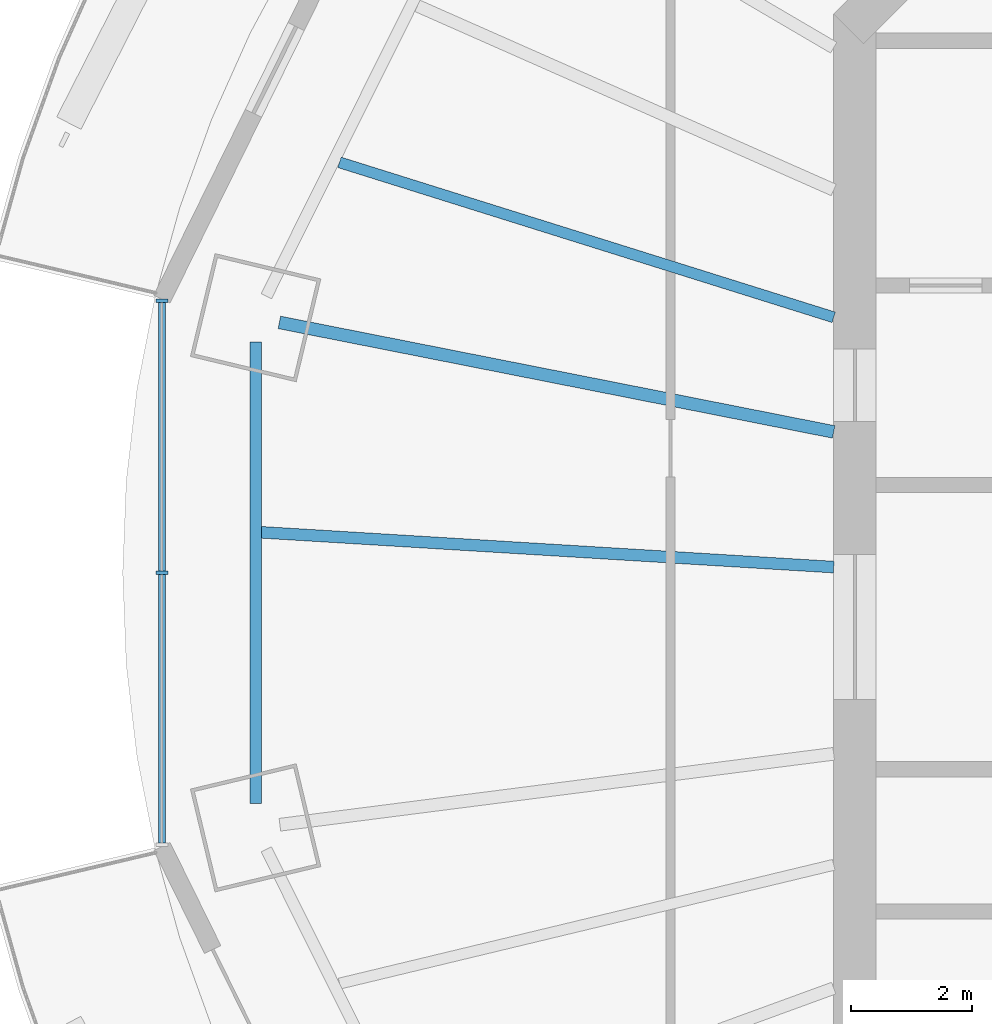
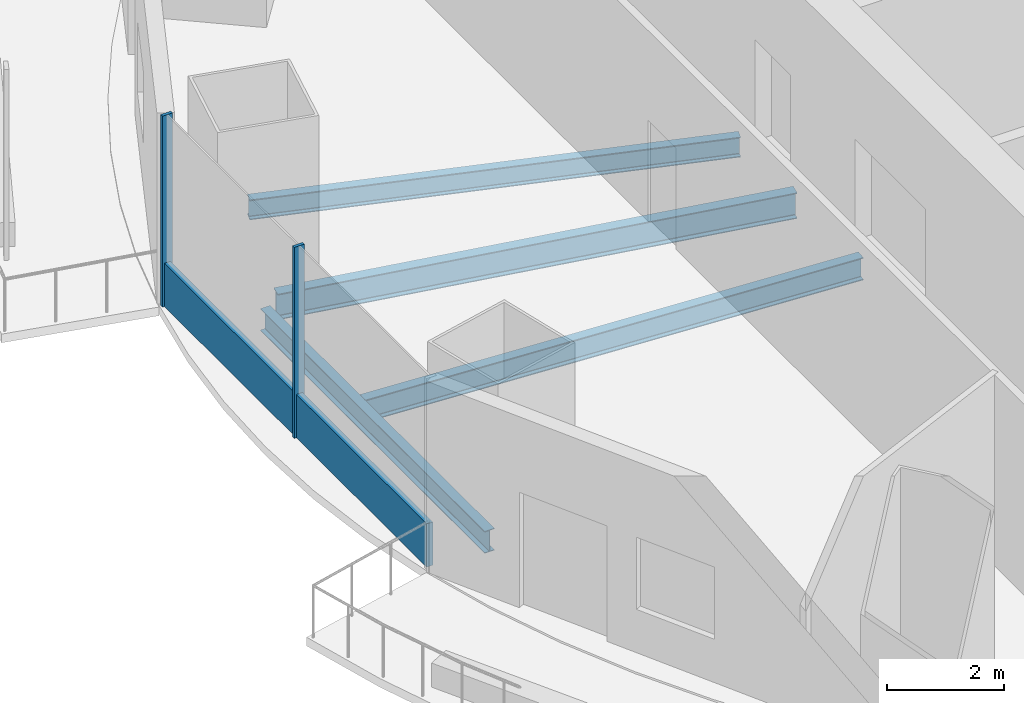
# One storey, part 3 of 16: 4 beams, 3 members, 1 element without a shape of its own.
"""IFC4 building model written with IfcOpenShell, lengths in metres."""

from ifc_helpers import new_model, si_unit, direction, frame, origin, origin_2d, place, context, subcontext, project, spatial, rectangle, i_section, extrude, material, material_profile, profile_set, type_object, element, aggregate, save


model = new_model("IFC4")

# Units and contexts
model_context = context("Model", 3, precision=1e-05, world=origin(), true_north=direction((0.0, 1.0)))
body_context = subcontext(model_context, "Body", "Model", "MODEL_VIEW")
ifc_project = project(units=[si_unit("LENGTHUNIT", "METRE"), si_unit("AREAUNIT", "SQUARE_METRE"), si_unit("VOLUMEUNIT", "CUBIC_METRE"), si_unit("PLANEANGLEUNIT", "RADIAN"), si_unit("MASSUNIT", "GRAM", prefix="KILO")], contexts=[model_context])

# Site, building, storey
site_placement = place(None, origin())
site = spatial("IfcSite", under=ifc_project, at=site_placement, CompositionType="ELEMENT")
building_placement = place(site_placement, origin())
building = spatial("IfcBuilding", under=site, at=building_placement, Name="Marenthal Gate Tower", CompositionType="ELEMENT")
storey_placement = place(building_placement, frame((0.0, 0.0, 321.85009765625)))
storey = spatial("IfcBuildingStorey", under=building, at=storey_placement, Name="L72", CompositionType="ELEMENT", Elevation=321.85009765625)

# Curtain wall, members
ifc_material_1 = material(Name="Aluminium and glass", Category="aluminium")
curtain_wall_type = type_object("IfcCurtainWallType", Name="Curtain wall typical high", PredefinedType="NOTDEFINED", material=ifc_material_1)
curtain_wall_placement = place(storey_placement, origin())
curtain_wall = element("IfcCurtainWall", 1, at=curtain_wall_placement, inside=storey, type_object=curtain_wall_type, Name="Curtain wall L72 bay 8", PredefinedType="NOTDEFINED")
ifc_material_2 = material(Name="Aluminium", Category="aluminium")
ifc_material_profile_1 = material_profile(ifc_material_2, rectangle(XDim=0.199951171875, YDim=0.06005859375, at=origin_2d()), Name="60x200 aluminium mullion")
ifc_profile_set_1 = profile_set([ifc_material_profile_1], Name="Aluminium")
member_type_1 = type_object("IfcMemberType", Name="Mullion 60x200 typical high", PredefinedType="MULLION", material=ifc_profile_set_1)
member_1_placement = place(storey_placement, frame((-27.4619140625, 5.3974609375, 0.0), z_axis=(0.0, 0.0, 1.0), x_axis=(1.0, 0.0, 0.0)))
member_1 = element("IfcMember", 2, at=member_1_placement, type_object=member_type_1, Name="Mullion L72 bay 8.1", PredefinedType="MULLION", context=body_context, shape_type="SweptSolid", body=[
    extrude(rectangle(XDim=0.199951171875, YDim=0.06005859375, at=origin_2d()), origin(), (0.0, 0.0, 1.0), 3.969970703125),
])
member_2_placement = place(storey_placement, frame((-27.4619140625, 0.89990234375, 0.0), z_axis=(0.0, 0.0, 1.0), x_axis=(1.0, 0.0, 0.0)))
member_2 = element("IfcMember", 3, at=member_2_placement, type_object=member_type_1, Name="Mullion L72 bay 8.2", PredefinedType="MULLION", context=body_context, shape_type="SweptSolid", body=[
    extrude(rectangle(XDim=0.199951171875, YDim=0.06005859375, at=origin_2d()), origin(), (0.0, 0.0, 1.0), 3.969970703125),
])
ifc_material_3 = material(Name="Aluminium", Category="aluminium")
ifc_material_profile_2 = material_profile(ifc_material_3, rectangle(XDim=0.1201171875, YDim=0.89990234375, at=origin_2d()), Name="120x900 aluminium transom")
ifc_profile_set_2 = profile_set([ifc_material_profile_2], Name="Aluminium")
member_type_2 = type_object("IfcMemberType", Name="Transom 120x900 typical high", PredefinedType="USERDEFINED", material=ifc_profile_set_2)
member_3_placement = place(storey_placement, frame((-27.4619140625, 5.367431640625, 0.449951171875), z_axis=(0.0, -1.0, 0.0), x_axis=(1.0, 0.0, 0.0)))
member_3 = element("IfcMember", 4, at=member_3_placement, type_object=member_type_2, Name="Transom L72 bay 8", ObjectType="TRANSOM", PredefinedType="USERDEFINED", context=body_context, shape_type="SweptSolid", body=[
    extrude(rectangle(XDim=0.1201171875, YDim=0.89990234375, at=origin_2d()), origin(), (0.0, 0.0, 1.0), 8.934814453125),
])
aggregate(curtain_wall, [member_1, member_2, member_3])

# Beams
ifc_material_4 = material(Name="Steel S355", Category="steel")
ifc_material_profile_3 = material_profile(ifc_material_4, i_section(OverallWidth=0.180908203125, OverallDepth=0.4169921875, WebThickness=0.010986328125, FlangeThickness=0.018310546875, FilletRadius=0.01025390625, at=origin_2d()), Name="W410X85")
ifc_profile_set_3 = profile_set([ifc_material_profile_3], Name="Steel S355")
beam_type_1 = type_object("IfcBeamType", Name="W410X85 beam", PredefinedType="BEAM", material=ifc_profile_set_3)
beam_1_placement = place(storey_placement, frame((-24.525390625, 7.68896484375, -0.388671875), z_axis=(0.954206790914, -0.299147789853, 0.0), x_axis=(0.299147789853, 0.954206790914, 0.0)))
element("IfcBeam", 5, at=beam_1_placement, inside=storey, type_object=beam_type_1, Name="BM-L72-27", PredefinedType="BEAM", context=body_context, shape_type="SweptSolid", body=[
    extrude(i_section(OverallWidth=0.180908203125, OverallDepth=0.4169921875, WebThickness=0.010986328125, FlangeThickness=0.018310546875, FilletRadius=0.01025390625, at=origin_2d()), origin(), (0.0, 0.0, 1.0), 8.567626953125),
])
ifc_material_5 = material(Name="Steel S355", Category="steel")
ifc_material_profile_4 = material_profile(ifc_material_5, i_section(OverallWidth=0.19091796875, OverallDepth=0.45703125, WebThickness=0.009033203125, FlangeThickness=0.014404296875, FilletRadius=0.01025390625, at=origin_2d()), Name="W460X74")
ifc_profile_set_4 = profile_set([ifc_material_profile_4], Name="Steel S355")
beam_type_2 = type_object("IfcBeamType", Name="W460X74 beam", PredefinedType="BEAM", material=ifc_profile_set_4)
beam_2_placement = place(storey_placement, frame((-25.912109375, 4.719482421875, -0.40869140625), z_axis=(0.0, -1.0, 0.0), x_axis=(1.0, 0.0, 0.0)))
element("IfcBeam", 6, at=beam_2_placement, inside=storey, type_object=beam_type_2, Name="BM-L72-48", PredefinedType="BEAM", context=body_context, shape_type="SweptSolid", body=[
    extrude(i_section(OverallWidth=0.19091796875, OverallDepth=0.45703125, WebThickness=0.009033203125, FlangeThickness=0.014404296875, FilletRadius=0.01025390625, at=origin_2d()), origin(), (0.0, 0.0, 1.0), 7.638916015625),
])
ifc_material_6 = material(Name="Steel S355", Category="steel")
ifc_material_profile_5 = material_profile(ifc_material_6, i_section(OverallWidth=0.193115234375, OverallDepth=0.467041015625, WebThickness=0.011474609375, FlangeThickness=0.01904296875, FilletRadius=0.010009765625, at=origin_2d()), Name="W460X97")
ifc_profile_set_5 = profile_set([ifc_material_profile_5], Name="Steel S355")
beam_type_3 = type_object("IfcBeamType", Name="W460X97 beam", PredefinedType="BEAM", material=ifc_profile_set_5)
beam_3_placement = place(storey_placement, frame((-25.816650390625, 1.5693359375, -0.41357421875), z_axis=(0.998157599477, -0.060674596053, 0.0), x_axis=(0.060674596053, 0.998157599477, 0.0)))
element("IfcBeam", 7, at=beam_3_placement, inside=storey, type_object=beam_type_3, Name="BM-L72-28", PredefinedType="BEAM", context=body_context, shape_type="SweptSolid", body=[
    extrude(i_section(OverallWidth=0.193115234375, OverallDepth=0.467041015625, WebThickness=0.011474609375, FlangeThickness=0.01904296875, FilletRadius=0.010009765625, at=origin_2d()), origin(), (0.0, 0.0, 1.0), 9.484130859375),
])
ifc_material_7 = material(Name="Steel S355", Category="steel")
ifc_material_profile_6 = material_profile(ifc_material_7, i_section(OverallWidth=0.2099609375, OverallDepth=0.535888671875, WebThickness=0.010986328125, FlangeThickness=0.017333984375, FilletRadius=0.0126953125, at=origin_2d()), Name="W530X101")
ifc_profile_set_6 = profile_set([ifc_material_profile_6], Name="Steel S355")
beam_type_4 = type_object("IfcBeamType", Name="W530X101 beam", PredefinedType="BEAM", material=ifc_profile_set_6)
beam_4_placement = place(storey_placement, frame((-25.51904296875, 5.04150390625, -0.447998046875), z_axis=(0.98103613899, -0.193824905509, 0.0), x_axis=(0.193824905509, 0.98103613899, 0.0)))
element("IfcBeam", 8, at=beam_4_placement, inside=storey, type_object=beam_type_4, Name="BM-L72-08", PredefinedType="BEAM", context=body_context, shape_type="SweptSolid", body=[
    extrude(i_section(OverallWidth=0.2099609375, OverallDepth=0.535888671875, WebThickness=0.010986328125, FlangeThickness=0.017333984375, FilletRadius=0.0126953125, at=origin_2d()), origin(), (0.0, 0.0, 1.0), 9.34619140625),
])

save(model, "model.ifc")
